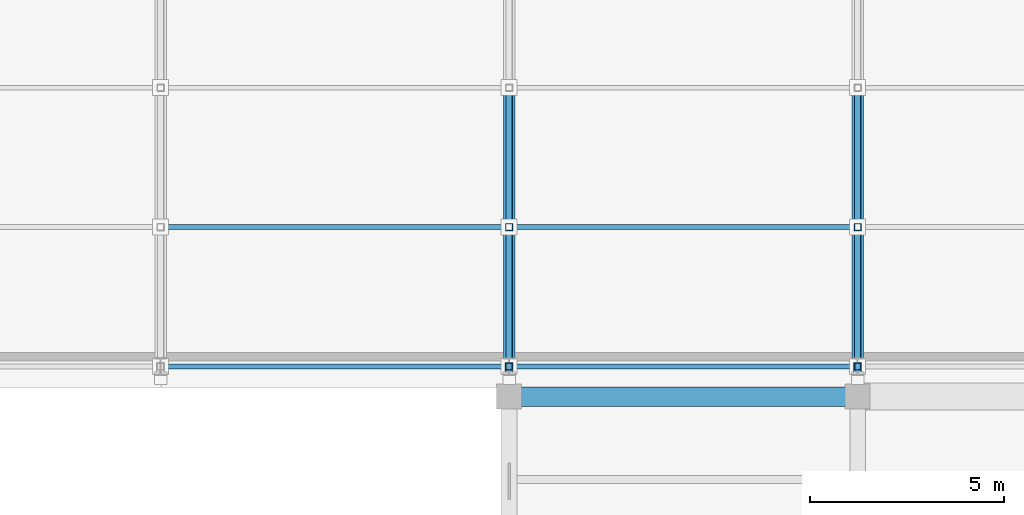
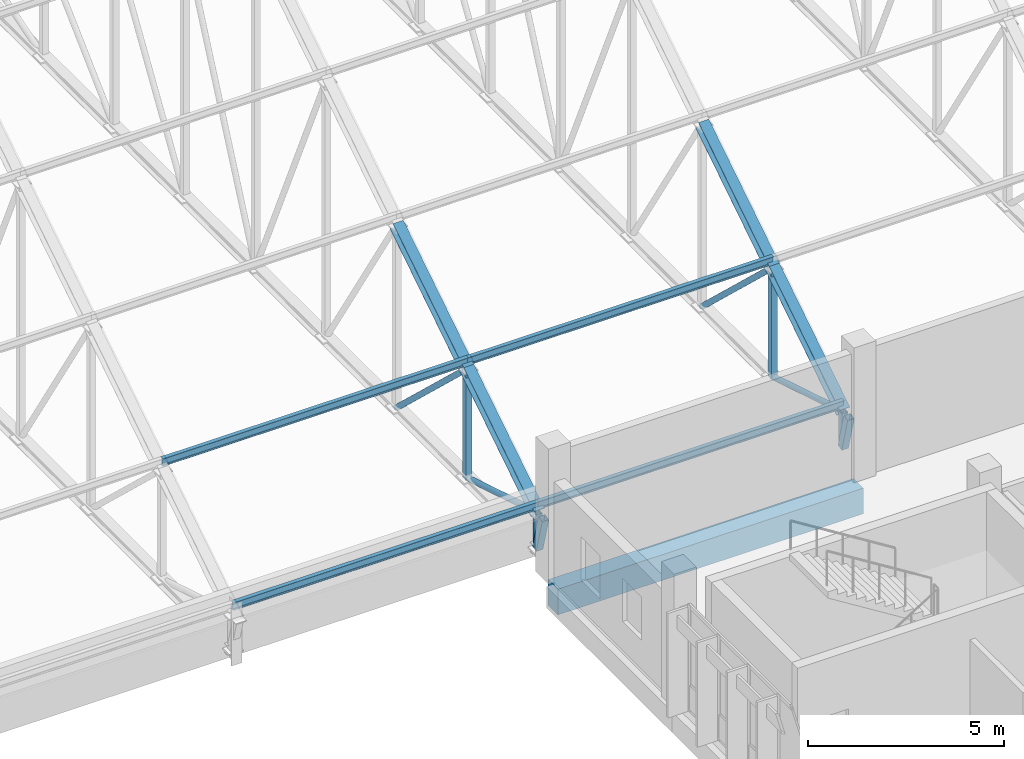
# One storey, part 100 of 182: 18 members, 1 beam.
"""IFC4 building model written with IfcOpenShell, lengths in metres."""

from ifc_helpers import new_model, si_unit, direction, frame, origin, origin_2d, place, context, subcontext, project, spatial, rectangle, hollow_rectangle, hollow_circle, i_section, extrude, material, material_profile, profile_set, type_object, element, save


model = new_model("IFC4")

# Units and contexts
model_context = context("Model", 3, precision=1e-05, world=origin(), true_north=direction((0.0, 1.0)))
body_context = subcontext(model_context, "Body", "Model", "MODEL_VIEW")
ifc_project = project(units=[si_unit("LENGTHUNIT", "METRE"), si_unit("AREAUNIT", "SQUARE_METRE"), si_unit("VOLUMEUNIT", "CUBIC_METRE"), si_unit("PLANEANGLEUNIT", "RADIAN"), si_unit("MASSUNIT", "GRAM", prefix="KILO")], contexts=[model_context])

# Site, building, storey
site_placement = place(None, origin())
site = spatial("IfcSite", under=ifc_project, at=site_placement, CompositionType="ELEMENT")
building_placement = place(site_placement, origin())
building = spatial("IfcBuilding", under=site, at=building_placement, Name="Chiffa Square Polytechnic", CompositionType="ELEMENT")
storey_placement = place(building_placement, frame((0.0, 0.0, 9.60009765625)))
storey = spatial("IfcBuildingStorey", under=building, at=storey_placement, Name="L02", CompositionType="ELEMENT", Elevation=9.60009765625)

# Beam
ifc_material_1 = material(Name="Concrete C40/50", Category="concrete")
ifc_material_profile_1 = material_profile(ifc_material_1, rectangle(XDim=0.5, YDim=0.800048828125, at=origin_2d()), Name="RC 500x800")
ifc_profile_set_1 = profile_set([ifc_material_profile_1], Name="Concrete C40/50")
beam_type = type_object("IfcBeamType", Name="BM-RC-500X800", PredefinedType="BEAM", material=ifc_profile_set_1)
beam_placement = place(storey_placement, frame((148.199951171875, 57.419921875, -0.72021484375), z_axis=(1.0, 0.0, 0.0), x_axis=(0.0, 1.0, 0.0)))
element("IfcBeam", 1, at=beam_placement, inside=storey, type_object=beam_type, Name="Primary floor girder BM-V1-L02-X-1482-0574", PredefinedType="BEAM", context=body_context, shape_type="SweptSolid", body=[
    extrude(rectangle(XDim=0.5, YDim=0.800048828125, at=origin_2d()), origin(), (0.0, 0.0, 1.0), 9.0),
])

# Members
ifc_material_2 = material(Name="Steel S355", Category="steel")
ifc_material_profile_2 = material_profile(ifc_material_2, i_section(OverallWidth=0.300048828125, OverallDepth=0.31005859375, WebThickness=0.009033203125, FlangeThickness=0.015380859375, FilletRadius=0.027099609375, at=origin_2d()), Name="HEA 320")
ifc_profile_set_2 = profile_set([ifc_material_profile_2], Name="Steel S355")
member_type_1 = type_object("IfcMemberType", Name="MEM-CHORD-HEA320", PredefinedType="CHORD", material=ifc_profile_set_2)
member_1_placement = place(storey_placement, frame((148.199951171875, 58.199951171875, 1.449951171875), z_axis=(0.0, 0.84269770024, 0.538387022512), x_axis=(-1.0, 0.0, 0.0)))
element("IfcMember", 2, at=member_1_placement, inside=storey, type_object=member_type_1, Name="Workshop roof truss top chord TCT-V2-05-01", PredefinedType="CHORD", context=body_context, shape_type="SweptSolid", body=[
    extrude(i_section(OverallWidth=0.300048828125, OverallDepth=0.31005859375, WebThickness=0.009033203125, FlangeThickness=0.015380859375, FilletRadius=0.027099609375, at=origin_2d()), origin(), (0.0, 0.0, 1.0), 4.272216796875),
])
member_2_placement = place(storey_placement, frame((148.199951171875, 61.800048828125, 3.75), z_axis=(0.0, 0.84270706373, 0.538372366248), x_axis=(-1.0, 0.0, 0.0)))
element("IfcMember", 3, at=member_2_placement, inside=storey, type_object=member_type_1, Name="Workshop roof truss top chord TCT-V2-05-02", PredefinedType="CHORD", context=body_context, shape_type="SweptSolid", body=[
    extrude(i_section(OverallWidth=0.300048828125, OverallDepth=0.31005859375, WebThickness=0.009033203125, FlangeThickness=0.015380859375, FilletRadius=0.027099609375, at=origin_2d()), origin(), (0.0, 0.0, 1.0), 4.271728515625),
])
member_3_placement = place(storey_placement, frame((157.199951171875, 58.199951171875, 1.449951171875), z_axis=(0.0, 0.84269770024, 0.538387022512), x_axis=(-1.0, 0.0, 0.0)))
element("IfcMember", 4, at=member_3_placement, inside=storey, type_object=member_type_1, Name="Workshop roof truss top chord TCT-V2-06-01", PredefinedType="CHORD", context=body_context, shape_type="SweptSolid", body=[
    extrude(i_section(OverallWidth=0.300048828125, OverallDepth=0.31005859375, WebThickness=0.009033203125, FlangeThickness=0.015380859375, FilletRadius=0.027099609375, at=origin_2d()), origin(), (0.0, 0.0, 1.0), 4.272216796875),
])
member_4_placement = place(storey_placement, frame((157.199951171875, 61.800048828125, 3.75), z_axis=(0.0, 0.84270706373, 0.538372366248), x_axis=(-1.0, 0.0, 0.0)))
element("IfcMember", 5, at=member_4_placement, inside=storey, type_object=member_type_1, Name="Workshop roof truss top chord TCT-V2-06-02", PredefinedType="CHORD", context=body_context, shape_type="SweptSolid", body=[
    extrude(i_section(OverallWidth=0.300048828125, OverallDepth=0.31005859375, WebThickness=0.009033203125, FlangeThickness=0.015380859375, FilletRadius=0.027099609375, at=origin_2d()), origin(), (0.0, 0.0, 1.0), 4.271728515625),
])
ifc_material_profile_3 = material_profile(ifc_material_2, i_section(OverallWidth=0.1201171875, OverallDepth=0.239990234375, WebThickness=0.006103515625, FlangeThickness=0.009765625, FilletRadius=0.014892578125, at=origin_2d()), Name="IPE 240")
ifc_profile_set_3 = profile_set([ifc_material_profile_3], Name="Steel S355")
member_type_2 = type_object("IfcMemberType", Name="MEM-PUR-IPE240", PredefinedType="PURLIN", material=ifc_profile_set_3)
for number, where, z_axis, x_axis, name in (
    (6, (139.199951171875, 58.199951171875, 1.699951171875), (1.0, 0.0, 0.0), (0.0, 1.0, 0.0), "Workshop steel roof purlin PU-V2-04-01"),
    (7, (139.199951171875, 61.800048828125, 4.0), (1.0, 0.0, 0.0), (0.0, 1.0, 0.0), "Workshop steel roof purlin PU-V2-04-02"),
    (8, (148.199951171875, 58.199951171875, 1.699951171875), (1.0, 0.0, 0.0), (0.0, 1.0, 0.0), "Workshop steel roof purlin PU-V2-05-01"),
    (9, (148.199951171875, 61.800048828125, 4.0), (1.0, 0.0, 0.0), (0.0, 1.0, 0.0), "Workshop steel roof purlin PU-V2-05-02"),
):
    element("IfcMember", number, at=place(storey_placement, frame(where, z_axis=z_axis, x_axis=x_axis)), inside=storey, type_object=member_type_2, Name=name, PredefinedType="PURLIN", context=body_context, shape_type="SweptSolid", body=[
        extrude(i_section(OverallWidth=0.1201171875, OverallDepth=0.239990234375, WebThickness=0.006103515625, FlangeThickness=0.009765625, FilletRadius=0.014892578125, at=origin_2d()), origin(), (0.0, 0.0, 1.0), 9.0),
    ])
ifc_material_profile_4 = material_profile(ifc_material_2, hollow_rectangle(XDim=0.199951171875, YDim=0.199951171875, WallThickness=0.010009765625, at=origin_2d()), Name="RHS 200x200x10")
ifc_profile_set_4 = profile_set([ifc_material_profile_4], Name="Steel S355")
member_type_3 = type_object("IfcMemberType", Name="MEM-STRUT-RHS200", PredefinedType="STRUT", material=ifc_profile_set_4)
for number, where, z_axis, x_axis, name in (
    (10, (148.199951171875, 58.199951171875, 0.349853515625), (0.0, -0.263135522356, 0.964758880174), (1.0, 0.0, 0.0), "Eave outrigger strut OS-V2-S-05"),
    (11, (157.199951171875, 58.199951171875, 0.349853515625), (0.0, -0.263135522356, 0.964758880174), (1.0, 0.0, 0.0), "Eave outrigger strut OS-V2-S-06"),
):
    element("IfcMember", number, at=place(storey_placement, frame(where, z_axis=z_axis, x_axis=x_axis)), inside=storey, type_object=member_type_3, Name=name, PredefinedType="STRUT", context=body_context, shape_type="SweptSolid", body=[
        extrude(hollow_rectangle(XDim=0.199951171875, YDim=0.199951171875, WallThickness=0.010009765625, at=origin_2d()), origin(), (0.0, 0.0, 1.0), 1.140380859375),
    ])
ifc_material_profile_5 = material_profile(ifc_material_2, hollow_circle(Radius=0.084228515625, WallThickness=0.010009765625, at=origin_2d()), Name="CHS 168.3x10")
ifc_profile_set_5 = profile_set([ifc_material_profile_5], Name="Steel S355")
member_type_4 = type_object("IfcMemberType", Name="MEM-WEB-CHS168", PredefinedType="MEMBER", material=ifc_profile_set_5)
member_5_placement = place(storey_placement, frame((148.199951171875, 58.199951171875, 1.449951171875), z_axis=(0.0, 0.956346536322, -0.292235012388), x_axis=(-1.0, 0.0, 0.0)))
element("IfcMember", 12, at=member_5_placement, inside=storey, type_object=member_type_4, Name="Workshop roof truss diagonal TWD-V2-05-01", PredefinedType="MEMBER", context=body_context, shape_type="SweptSolid", body=[
    extrude(hollow_circle(Radius=0.084228515625, WallThickness=0.010009765625, at=origin_2d()), origin(), (0.0, 0.0, 1.0), 3.764404296875),
])
member_6_placement = place(storey_placement, frame((148.199951171875, 61.800048828125, 3.75), z_axis=(0.0, 0.726984438285, -0.686653935029), x_axis=(-1.0, 0.0, 0.0)))
element("IfcMember", 13, at=member_6_placement, inside=storey, type_object=member_type_4, Name="Workshop roof truss diagonal TWD-V2-05-02", PredefinedType="MEMBER", context=body_context, shape_type="SweptSolid", body=[
    extrude(hollow_circle(Radius=0.084228515625, WallThickness=0.010009765625, at=origin_2d()), origin(), (0.0, 0.0, 1.0), 4.95166015625),
])
member_7_placement = place(storey_placement, frame((157.199951171875, 58.199951171875, 1.449951171875), z_axis=(0.0, 0.956346536322, -0.292235012388), x_axis=(-1.0, 0.0, 0.0)))
element("IfcMember", 14, at=member_7_placement, inside=storey, type_object=member_type_4, Name="Workshop roof truss diagonal TWD-V2-06-01", PredefinedType="MEMBER", context=body_context, shape_type="SweptSolid", body=[
    extrude(hollow_circle(Radius=0.084228515625, WallThickness=0.010009765625, at=origin_2d()), origin(), (0.0, 0.0, 1.0), 3.764404296875),
])
member_8_placement = place(storey_placement, frame((157.199951171875, 61.800048828125, 3.75), z_axis=(0.0, 0.726984438285, -0.686653935029), x_axis=(-1.0, 0.0, 0.0)))
element("IfcMember", 15, at=member_8_placement, inside=storey, type_object=member_type_4, Name="Workshop roof truss diagonal TWD-V2-06-02", PredefinedType="MEMBER", context=body_context, shape_type="SweptSolid", body=[
    extrude(hollow_circle(Radius=0.084228515625, WallThickness=0.010009765625, at=origin_2d()), origin(), (0.0, 0.0, 1.0), 4.95166015625),
])
ifc_material_profile_6 = material_profile(ifc_material_2, hollow_rectangle(XDim=0.179931640625, YDim=0.179931640625, WallThickness=0.010009765625, at=origin_2d()), Name="RHS 180x180x10")
ifc_profile_set_6 = profile_set([ifc_material_profile_6], Name="Steel S355")
member_type_5 = type_object("IfcMemberType", Name="MEM-WEB-RHS180", PredefinedType="MEMBER", material=ifc_profile_set_6)
member_9_placement = place(storey_placement, frame((148.199951171875, 58.199951171875, 0.349853515625), z_axis=(0.0, 0.0, 1.0), x_axis=(1.0, 0.0, 0.0)))
element("IfcMember", 16, at=member_9_placement, inside=storey, type_object=member_type_5, Name="Workshop roof truss vertical TWV-V2-05-01", PredefinedType="MEMBER", context=body_context, shape_type="SweptSolid", body=[
    extrude(hollow_rectangle(XDim=0.179931640625, YDim=0.179931640625, WallThickness=0.010009765625, at=origin_2d()), origin(), (0.0, 0.0, 1.0), 1.10009765625),
])
member_10_placement = place(storey_placement, frame((148.199951171875, 61.800048828125, 0.349853515625), z_axis=(0.0, 0.0, 1.0), x_axis=(1.0, 0.0, 0.0)))
element("IfcMember", 17, at=member_10_placement, inside=storey, type_object=member_type_5, Name="Workshop roof truss vertical TWV-V2-05-02", PredefinedType="MEMBER", context=body_context, shape_type="SweptSolid", body=[
    extrude(hollow_rectangle(XDim=0.179931640625, YDim=0.179931640625, WallThickness=0.010009765625, at=origin_2d()), origin(), (0.0, 0.0, 1.0), 3.400146484375),
])
member_11_placement = place(storey_placement, frame((157.199951171875, 58.199951171875, 0.349853515625), z_axis=(0.0, 0.0, 1.0), x_axis=(1.0, 0.0, 0.0)))
element("IfcMember", 18, at=member_11_placement, inside=storey, type_object=member_type_5, Name="Workshop roof truss vertical TWV-V2-06-01", PredefinedType="MEMBER", context=body_context, shape_type="SweptSolid", body=[
    extrude(hollow_rectangle(XDim=0.179931640625, YDim=0.179931640625, WallThickness=0.010009765625, at=origin_2d()), origin(), (0.0, 0.0, 1.0), 1.10009765625),
])
member_12_placement = place(storey_placement, frame((157.199951171875, 61.800048828125, 0.349853515625), z_axis=(0.0, 0.0, 1.0), x_axis=(1.0, 0.0, 0.0)))
element("IfcMember", 19, at=member_12_placement, inside=storey, type_object=member_type_5, Name="Workshop roof truss vertical TWV-V2-06-02", PredefinedType="MEMBER", context=body_context, shape_type="SweptSolid", body=[
    extrude(hollow_rectangle(XDim=0.179931640625, YDim=0.179931640625, WallThickness=0.010009765625, at=origin_2d()), origin(), (0.0, 0.0, 1.0), 3.400146484375),
])

save(model, "model.ifc")
